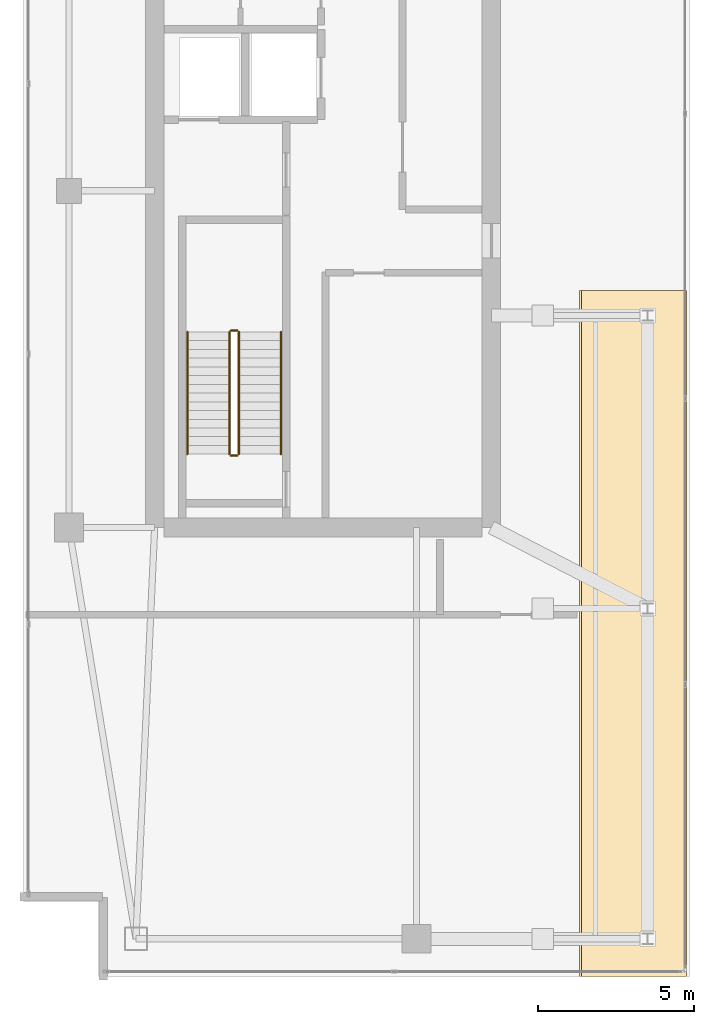
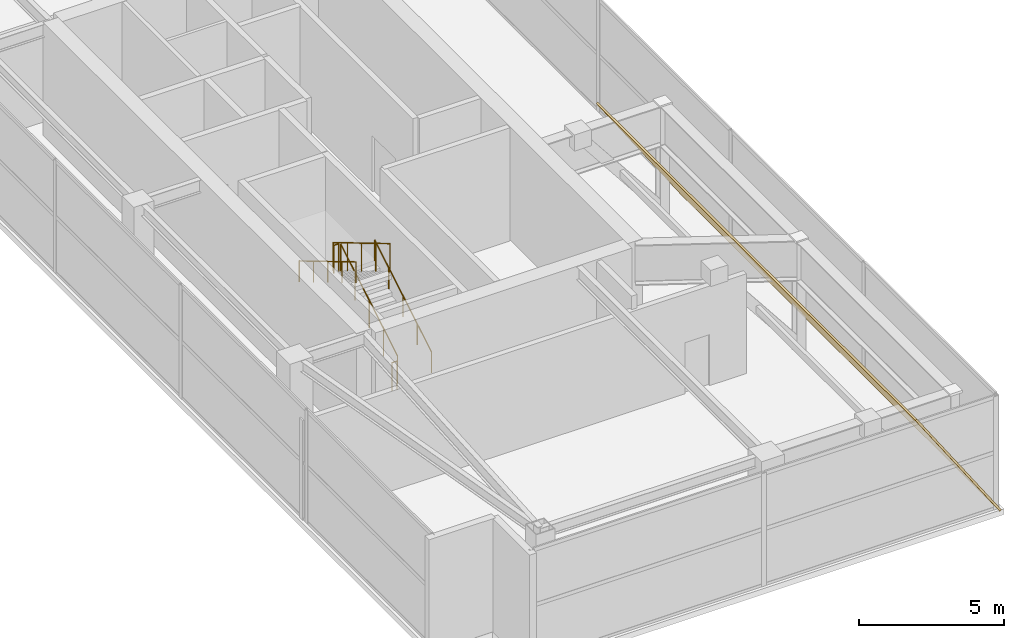
# One storey, part 19 of 20: 6 railings, 1 covering.
"""IFC4 building model written with IfcOpenShell, lengths in metres."""

from ifc_helpers import new_model, si_unit, direction, frame, origin, origin_2d, place, context, subcontext, project, spatial, polyline, circle, outline, extrude, material, layer, layer_set, type_object, element, save


model = new_model("IFC4")

# Units and contexts
model_context = context("Model", 3, precision=1e-05, world=origin(), true_north=direction((0.0, 1.0)))
body_context = subcontext(model_context, "Body", "Model", "MODEL_VIEW")
ifc_project = project(units=[si_unit("LENGTHUNIT", "METRE"), si_unit("AREAUNIT", "SQUARE_METRE"), si_unit("VOLUMEUNIT", "CUBIC_METRE"), si_unit("PLANEANGLEUNIT", "RADIAN"), si_unit("MASSUNIT", "GRAM", prefix="KILO")], contexts=[model_context])

# Site, building, storey
site_placement = place(None, origin())
site = spatial("IfcSite", under=ifc_project, at=site_placement, CompositionType="ELEMENT")
building_placement = place(site_placement, origin())
building = spatial("IfcBuilding", under=site, at=building_placement, Name="Calvorn Quay Hotel", CompositionType="ELEMENT")
storey_placement = place(building_placement, frame((0.0, 0.0, 340.5)))
storey = spatial("IfcBuildingStorey", under=building, at=storey_placement, Name="L83", CompositionType="ELEMENT", Elevation=340.5)

# Covering
ifc_material_1 = material(Name="Insulated Elastomeric Waterproof Roofing")
ifc_layer = layer(ifc_material_1, 0.080078125)
ifc_layer_set = layer_set([ifc_layer], Name="COV-ROOF-MEMBRANE")
covering_type = type_object("IfcCoveringType", Name="COV-ROOF-MEMBRANE", PredefinedType="ROOFING", material=ifc_layer_set)
covering_placement = place(storey_placement, frame((17.89990234375, 2.39990234375, 5.0), z_axis=(0.829449181483, 0.0, 0.558582183155), x_axis=(0.558582183155, 0.0, -0.829449181483)))
element("IfcCovering", 1, at=covering_placement, inside=storey, type_object=covering_type, Name="Slanted-Cut Crown Roof Cladding L83", PredefinedType="ROOFING", context=body_context, shape_type="SweptSolid", body=[
    extrude(outline(polyline([(0.0, 0.0), (6.028096852254138, 0.0), (6.028096852254138, 22.0), (0.0, 22.0), (0.0, 0.0)])), origin(), (0.0, 0.0, -1.0), 0.080078125),
])

# Railings
ifc_material_2 = material(Name="Brushed Stainless Steel Handrail", Category="steel")
railing_type_1 = type_object("IfcRailingType", Name="RLG-HANDRAIL-900", PredefinedType="HANDRAIL", material=ifc_material_2)
railing_1_placement = place(storey_placement, frame((8.25, 19.14990234375, 0.166748046875)))
element("IfcRailing", 2, at=railing_1_placement, inside=storey, type_object=railing_type_1, Name="L83 ST-W stair handrail 1", PredefinedType="HANDRAIL", context=body_context, shape_type="SweptSolid", body=[
    extrude(circle(Radius=0.02392578125, at=origin_2d()), frame((0.0, 0.0, 0.8759765625), z_axis=(0.0, 0.859310244771, 0.511454693235), x_axis=(-1.0, 0.0, 0.0)), (0.0, 0.0, 1.0), 4.56201171875),
    extrude(circle(Radius=0.02099609375, at=origin_2d()), origin(), (0.0, 0.0, 1.0), 0.851806640625),
    extrude(circle(Radius=0.02099609375, at=origin_2d()), frame((0.0, 0.97998046875, 0.583251953125)), (0.0, 0.0, 1.0), 0.851806640625),
    extrude(circle(Radius=0.02099609375, at=origin_2d()), frame((0.0, 1.9599609375, 1.16650390625)), (0.0, 0.0, 1.0), 0.851806640625),
    extrude(circle(Radius=0.02099609375, at=origin_2d()), frame((0.0, 2.940185546875, 1.75)), (0.0, 0.0, 1.0), 0.851806640625),
    extrude(circle(Radius=0.02099609375, at=origin_2d()), frame((0.0, 3.920166015625, 2.333251953125)), (0.0, 0.0, 1.0), 0.851806640625),
])
railing_2_placement = place(storey_placement, frame((5.25, 23.070068359375, 2.666748046875)))
element("IfcRailing", 3, at=railing_2_placement, inside=storey, type_object=railing_type_1, Name="L83 ST-W stair handrail 2", PredefinedType="HANDRAIL", context=body_context, shape_type="SweptSolid", body=[
    extrude(circle(Radius=0.02392578125, at=origin_2d()), frame((0.0, 0.0, 0.8759765625), z_axis=(0.0, -0.859310244771, 0.511454693235), x_axis=(1.0, 0.0, 0.0)), (0.0, 0.0, 1.0), 4.56201171875),
    extrude(circle(Radius=0.02099609375, at=origin_2d()), origin(), (0.0, 0.0, 1.0), 0.851806640625),
    extrude(circle(Radius=0.02099609375, at=origin_2d()), frame((0.0, -0.97998046875, 0.583251953125)), (0.0, 0.0, 1.0), 0.851806640625),
    extrude(circle(Radius=0.02099609375, at=origin_2d()), frame((0.0, -1.9599609375, 1.16650390625)), (0.0, 0.0, 1.0), 0.851806640625),
    extrude(circle(Radius=0.02099609375, at=origin_2d()), frame((0.0, -2.940185546875, 1.75)), (0.0, 0.0, 1.0), 0.851806640625),
    extrude(circle(Radius=0.02099609375, at=origin_2d()), frame((0.0, -3.920166015625, 2.333251953125)), (0.0, 0.0, 1.0), 0.851806640625),
])
ifc_material_3 = material(Name="Painted Galvanised Steel Balustrade", Category="steel")
railing_type_2 = type_object("IfcRailingType", Name="RLG-STAIR-GUARD-1120", PredefinedType="GUARDRAIL", material=ifc_material_3)
railing_3_placement = place(storey_placement, frame((6.89990234375, 19.14990234375, 0.166748046875)))
element("IfcRailing", 4, at=railing_3_placement, inside=storey, type_object=railing_type_2, Name="L83 ST-W stair guard 1", PredefinedType="GUARDRAIL", context=body_context, shape_type="SweptSolid", body=[
    extrude(circle(Radius=0.02392578125, at=origin_2d()), frame((0.0, 0.0, 1.17578125), z_axis=(0.0, 0.859310244771, 0.511454693235), x_axis=(-1.0, 0.0, 0.0)), (0.0, 0.0, 1.0), 4.56201171875),
    extrude(circle(Radius=0.02099609375, at=origin_2d()), origin(), (0.0, 0.0, 1.0), 1.15185546875),
    extrude(circle(Radius=0.02099609375, at=origin_2d()), frame((0.0, 0.97998046875, 0.583251953125)), (0.0, 0.0, 1.0), 1.15185546875),
    extrude(circle(Radius=0.02099609375, at=origin_2d()), frame((0.0, 1.9599609375, 1.16650390625)), (0.0, 0.0, 1.0), 1.15185546875),
    extrude(circle(Radius=0.02099609375, at=origin_2d()), frame((0.0, 2.940185546875, 1.75)), (0.0, 0.0, 1.0), 1.15185546875),
    extrude(circle(Radius=0.02099609375, at=origin_2d()), frame((0.0, 3.920166015625, 2.333251953125)), (0.0, 0.0, 1.0), 1.15185546875),
])
railing_4_placement = place(storey_placement, frame((6.85009765625, 23.1201171875, 2.5)))
element("IfcRailing", 5, at=railing_4_placement, inside=storey, type_object=railing_type_2, Name="L83 ST-W stair guard 2", PredefinedType="GUARDRAIL", context=body_context, shape_type="SweptSolid", body=[
    extrude(circle(Radius=0.02392578125, at=origin_2d()), frame((0.0, 0.0, 1.17578125), z_axis=(-1.0, 0.0, 0.0), x_axis=(0.0, -1.0, 0.0)), (0.0, 0.0, 1.0), 0.2001953125),
    extrude(circle(Radius=0.02099609375, at=origin_2d()), origin(), (0.0, 0.0, 1.0), 1.15185546875),
    extrude(circle(Radius=0.02099609375, at=origin_2d()), frame((-0.2001953125, 0.0, 0.0)), (0.0, 0.0, 1.0), 1.15185546875),
])
railing_5_placement = place(storey_placement, frame((6.60009765625, 23.070068359375, 2.666748046875)))
element("IfcRailing", 6, at=railing_5_placement, inside=storey, type_object=railing_type_2, Name="L83 ST-W stair guard 3", PredefinedType="GUARDRAIL", context=body_context, shape_type="SweptSolid", body=[
    extrude(circle(Radius=0.02392578125, at=origin_2d()), frame((0.0, 0.0, 1.17578125), z_axis=(0.0, -0.859310244771, 0.511454693235), x_axis=(1.0, 0.0, 0.0)), (0.0, 0.0, 1.0), 4.56201171875),
    extrude(circle(Radius=0.02099609375, at=origin_2d()), origin(), (0.0, 0.0, 1.0), 1.15185546875),
    extrude(circle(Radius=0.02099609375, at=origin_2d()), frame((0.0, -0.97998046875, 0.583251953125)), (0.0, 0.0, 1.0), 1.15185546875),
    extrude(circle(Radius=0.02099609375, at=origin_2d()), frame((0.0, -1.9599609375, 1.16650390625)), (0.0, 0.0, 1.0), 1.15185546875),
    extrude(circle(Radius=0.02099609375, at=origin_2d()), frame((0.0, -2.940185546875, 1.75)), (0.0, 0.0, 1.0), 1.15185546875),
    extrude(circle(Radius=0.02099609375, at=origin_2d()), frame((0.0, -3.920166015625, 2.333251953125)), (0.0, 0.0, 1.0), 1.15185546875),
])
railing_6_placement = place(storey_placement, frame((6.85009765625, 19.10009765625, 0.0)))
element("IfcRailing", 7, at=railing_6_placement, inside=storey, type_object=railing_type_2, Name="L83 ST-W stair guard 4", PredefinedType="GUARDRAIL", context=body_context, shape_type="SweptSolid", body=[
    extrude(circle(Radius=0.02392578125, at=origin_2d()), frame((0.0, 0.0, 1.17578125), z_axis=(-1.0, 0.0, 0.0), x_axis=(0.0, -1.0, 0.0)), (0.0, 0.0, 1.0), 0.2001953125),
    extrude(circle(Radius=0.02099609375, at=origin_2d()), origin(), (0.0, 0.0, 1.0), 1.15185546875),
    extrude(circle(Radius=0.02099609375, at=origin_2d()), frame((-0.2001953125, 0.0, 0.0)), (0.0, 0.0, 1.0), 1.15185546875),
])

save(model, "model.ifc")
